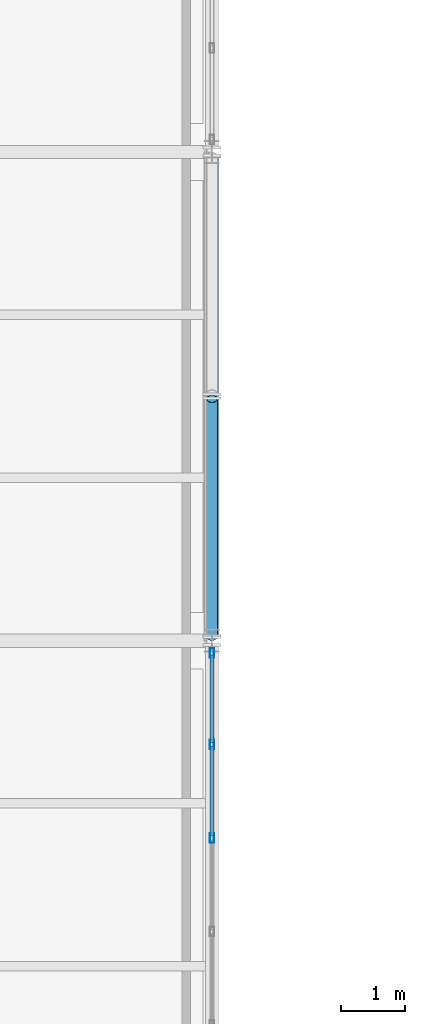
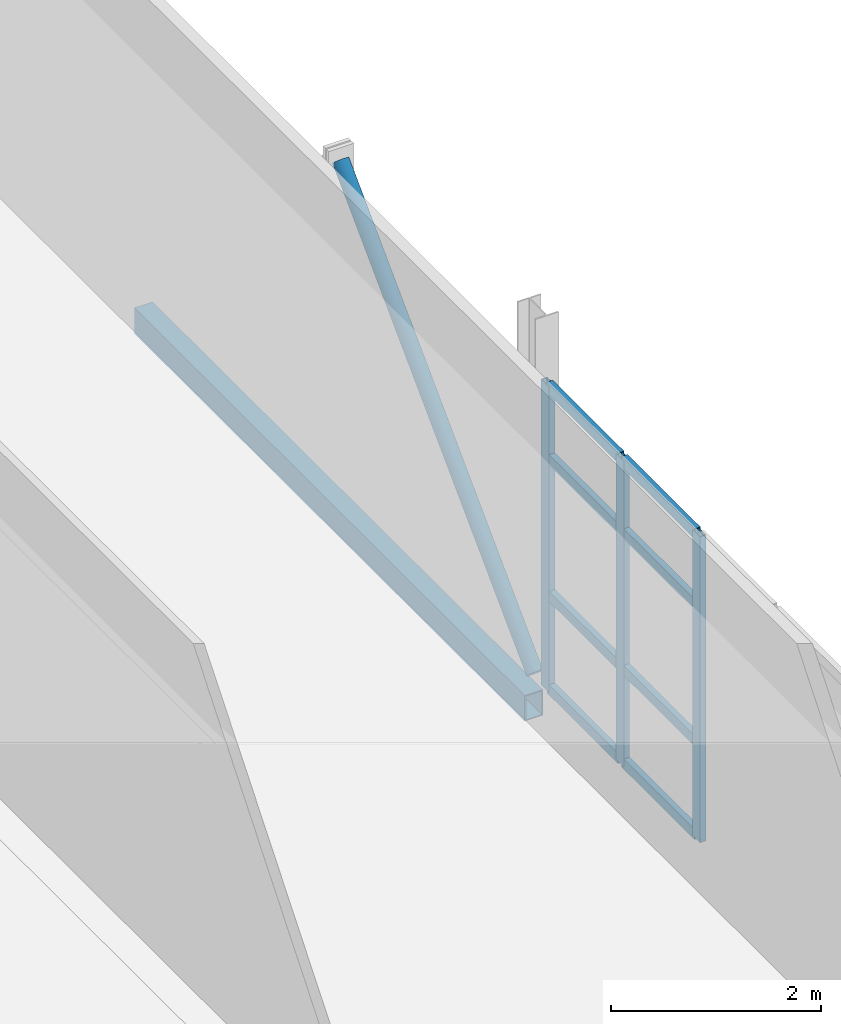
# One storey, part 120 of 174: 12 members, 1 beam, 1 element without a shape of its own.
"""IFC4 building model written with IfcOpenShell, lengths in metres."""

from ifc_helpers import new_model, si_unit, direction, frame, origin, origin_2d, place, context, subcontext, project, spatial, hollow_rectangle, hollow_circle, extrude, material, material_profile, profile_set, type_object, element, aggregate, save


model = new_model("IFC4")

# Units and contexts
model_context = context("Model", 3, precision=1e-05, world=origin(), true_north=direction((0.0, 1.0)))
body_context = subcontext(model_context, "Body", "Model", "MODEL_VIEW")
ifc_project = project(units=[si_unit("LENGTHUNIT", "METRE"), si_unit("AREAUNIT", "SQUARE_METRE"), si_unit("VOLUMEUNIT", "CUBIC_METRE"), si_unit("PLANEANGLEUNIT", "RADIAN"), si_unit("MASSUNIT", "GRAM", prefix="KILO")], contexts=[model_context])

# Site, building, storey
site_placement = place(None, origin())
site = spatial("IfcSite", under=ifc_project, at=site_placement, CompositionType="ELEMENT")
building_placement = place(site_placement, origin())
building = spatial("IfcBuilding", under=site, at=building_placement, Name="Caisbarro Railhouse Central Library", CompositionType="ELEMENT")
storey_placement = place(building_placement, frame((0.0, 0.0, 5.0400390625)))
storey = spatial("IfcBuildingStorey", under=building, at=storey_placement, Name="L01", CompositionType="ELEMENT", Elevation=5.0400390625)

# Beam
ifc_material_1 = material(Name="Steel ASTM A572 Grade 50", Category="steel")
ifc_material_profile_1 = material_profile(ifc_material_1, hollow_rectangle(XDim=0.199951171875, YDim=0.300048828125, WallThickness=0.012451171875, at=origin_2d()), Name="HSS300X200X12.5")
ifc_profile_set_1 = profile_set([ifc_material_profile_1], Name="Steel ASTM A572 Grade 50")
beam_type = type_object("IfcBeamType", Name="BM-SP02", PredefinedType="SPANDREL", material=ifc_profile_set_1)
beam_placement = place(storey_placement, frame((153.0, 76.080078125, -0.3701171875), z_axis=(0.0, 1.0, 0.0), x_axis=(-1.0, 0.0, 0.0)))
element("IfcBeam", 1, at=beam_placement, inside=storey, type_object=beam_type, Name="SP02 beam L01 #959", PredefinedType="SPANDREL", context=body_context, shape_type="SweptSolid", body=[
    extrude(hollow_rectangle(XDim=0.199951171875, YDim=0.300048828125, WallThickness=0.012451171875, at=origin_2d()), origin(), (0.0, 0.0, 1.0), 7.43994140625),
])

# Curtain wall, members
ifc_material_2 = material(Name="Anodised architectural aluminium", Category="aluminium")
curtain_wall_type = type_object("IfcCurtainWallType", Name="CW-CW03", PredefinedType="NOTDEFINED", material=ifc_material_2)
curtain_wall_placement = place(storey_placement, origin())
curtain_wall = element("IfcCurtainWall", 2, at=curtain_wall_placement, inside=storey, type_object=curtain_wall_type, Name="CW03 curtain wall L01 #122", PredefinedType="NOTDEFINED")
ifc_material_profile_2 = material_profile(ifc_material_2, hollow_rectangle(XDim=0.06494140625, YDim=0.14990234375, WallThickness=0.00390625, at=origin_2d()), Name="ALU-MUL-65X150")
ifc_profile_set_2 = profile_set([ifc_material_profile_2], Name="Anodised architectural aluminium")
member_type_1 = type_object("IfcMemberType", Name="CWM-M02", PredefinedType="MULLION", material=ifc_profile_set_2)
member_1_placement = place(storey_placement, frame((153.0, 72.927978515625, 0.0), z_axis=(0.0, 0.0, 1.0), x_axis=(-1.0, 0.0, 0.0)))
member_1 = element("IfcMember", 3, at=member_1_placement, type_object=member_type_1, Name="CW03 mullion 4", PredefinedType="MULLION", context=body_context, shape_type="SweptSolid", body=[
    extrude(hollow_rectangle(XDim=0.06494140625, YDim=0.14990234375, WallThickness=0.00390625, at=origin_2d()), origin(), (0.0, 0.0, 1.0), 3.56005859375),
])
member_2_placement = place(storey_placement, frame((153.0, 74.384033203125, 0.0), z_axis=(0.0, 0.0, 1.0), x_axis=(-1.0, 0.0, 0.0)))
member_2 = element("IfcMember", 4, at=member_2_placement, type_object=member_type_1, Name="CW03 mullion 5", PredefinedType="MULLION", context=body_context, shape_type="SweptSolid", body=[
    extrude(hollow_rectangle(XDim=0.06494140625, YDim=0.14990234375, WallThickness=0.00390625, at=origin_2d()), origin(), (0.0, 0.0, 1.0), 3.56005859375),
])
member_3_placement = place(storey_placement, frame((153.0, 75.8076171875, 0.0), z_axis=(0.0, 0.0, 1.0), x_axis=(-1.0, 0.0, 0.0)))
member_3 = element("IfcMember", 5, at=member_3_placement, type_object=member_type_1, Name="CW03 mullion 6", PredefinedType="MULLION", context=body_context, shape_type="SweptSolid", body=[
    extrude(hollow_rectangle(XDim=0.06494140625, YDim=0.14990234375, WallThickness=0.00390625, at=origin_2d()), origin(), (0.0, 0.0, 1.0), 3.56005859375),
])
ifc_material_profile_3 = material_profile(ifc_material_2, hollow_rectangle(XDim=0.06494140625, YDim=0.1201171875, WallThickness=0.00341796875, at=origin_2d()), Name="ALU-TRN-65X120")
ifc_profile_set_3 = profile_set([ifc_material_profile_3], Name="Anodised architectural aluminium")
member_type_2 = type_object("IfcMemberType", Name="CWT-T02", PredefinedType="USERDEFINED", material=ifc_profile_set_3)
member_4_placement = place(storey_placement, frame((153.0, 72.96044921875, 0.032470703125), z_axis=(0.0, 1.0, 0.0), x_axis=(-1.0, 0.0, 0.0)))
member_4 = element("IfcMember", 6, at=member_4_placement, type_object=member_type_2, Name="CW03 transom 4.1", ObjectType="TRANSOM", PredefinedType="USERDEFINED", context=body_context, shape_type="SweptSolid", body=[
    extrude(hollow_rectangle(XDim=0.06494140625, YDim=0.1201171875, WallThickness=0.00341796875, at=origin_2d()), origin(), (0.0, 0.0, 1.0), 1.39111328125),
])
member_5_placement = place(storey_placement, frame((153.0, 72.96044921875, 1.119873046875), z_axis=(0.0, 1.0, 0.0), x_axis=(-1.0, 0.0, 0.0)))
member_5 = element("IfcMember", 7, at=member_5_placement, type_object=member_type_2, Name="CW03 transom 4.2", ObjectType="TRANSOM", PredefinedType="USERDEFINED", context=body_context, shape_type="SweptSolid", body=[
    extrude(hollow_rectangle(XDim=0.06494140625, YDim=0.1201171875, WallThickness=0.00341796875, at=origin_2d()), origin(), (0.0, 0.0, 1.0), 1.39111328125),
])
member_6_placement = place(storey_placement, frame((153.0, 72.96044921875, 2.7099609375), z_axis=(0.0, 1.0, 0.0), x_axis=(-1.0, 0.0, 0.0)))
member_6 = element("IfcMember", 8, at=member_6_placement, type_object=member_type_2, Name="CW03 transom 4.3", ObjectType="TRANSOM", PredefinedType="USERDEFINED", context=body_context, shape_type="SweptSolid", body=[
    extrude(hollow_rectangle(XDim=0.06494140625, YDim=0.1201171875, WallThickness=0.00341796875, at=origin_2d()), origin(), (0.0, 0.0, 1.0), 1.39111328125),
])
member_7_placement = place(storey_placement, frame((153.0, 72.96044921875, 3.52734375), z_axis=(0.0, 1.0, 0.0), x_axis=(-1.0, 0.0, 0.0)))
member_7 = element("IfcMember", 9, at=member_7_placement, type_object=member_type_2, Name="CW03 transom 4.4", ObjectType="TRANSOM", PredefinedType="USERDEFINED", context=body_context, shape_type="SweptSolid", body=[
    extrude(hollow_rectangle(XDim=0.06494140625, YDim=0.1201171875, WallThickness=0.00341796875, at=origin_2d()), origin(), (0.0, 0.0, 1.0), 1.39111328125),
])
member_8_placement = place(storey_placement, frame((153.0, 74.41650390625, 0.032470703125), z_axis=(0.0, 1.0, 0.0), x_axis=(-1.0, 0.0, 0.0)))
member_8 = element("IfcMember", 10, at=member_8_placement, type_object=member_type_2, Name="CW03 transom 5.1", ObjectType="TRANSOM", PredefinedType="USERDEFINED", context=body_context, shape_type="SweptSolid", body=[
    extrude(hollow_rectangle(XDim=0.06494140625, YDim=0.1201171875, WallThickness=0.00341796875, at=origin_2d()), origin(), (0.0, 0.0, 1.0), 1.3583984375),
])
member_9_placement = place(storey_placement, frame((153.0, 74.41650390625, 1.119873046875), z_axis=(0.0, 1.0, 0.0), x_axis=(-1.0, 0.0, 0.0)))
member_9 = element("IfcMember", 11, at=member_9_placement, type_object=member_type_2, Name="CW03 transom 5.2", ObjectType="TRANSOM", PredefinedType="USERDEFINED", context=body_context, shape_type="SweptSolid", body=[
    extrude(hollow_rectangle(XDim=0.06494140625, YDim=0.1201171875, WallThickness=0.00341796875, at=origin_2d()), origin(), (0.0, 0.0, 1.0), 1.3583984375),
])
member_10_placement = place(storey_placement, frame((153.0, 74.41650390625, 2.7099609375), z_axis=(0.0, 1.0, 0.0), x_axis=(-1.0, 0.0, 0.0)))
member_10 = element("IfcMember", 12, at=member_10_placement, type_object=member_type_2, Name="CW03 transom 5.3", ObjectType="TRANSOM", PredefinedType="USERDEFINED", context=body_context, shape_type="SweptSolid", body=[
    extrude(hollow_rectangle(XDim=0.06494140625, YDim=0.1201171875, WallThickness=0.00341796875, at=origin_2d()), origin(), (0.0, 0.0, 1.0), 1.3583984375),
])
member_11_placement = place(storey_placement, frame((153.0, 74.41650390625, 3.52734375), z_axis=(0.0, 1.0, 0.0), x_axis=(-1.0, 0.0, 0.0)))
member_11 = element("IfcMember", 13, at=member_11_placement, type_object=member_type_2, Name="CW03 transom 5.4", ObjectType="TRANSOM", PredefinedType="USERDEFINED", context=body_context, shape_type="SweptSolid", body=[
    extrude(hollow_rectangle(XDim=0.06494140625, YDim=0.1201171875, WallThickness=0.00341796875, at=origin_2d()), origin(), (0.0, 0.0, 1.0), 1.3583984375),
])
aggregate(curtain_wall, [member_1, member_2, member_3, member_4, member_5, member_6, member_7, member_8, member_9, member_10, member_11])

# Member
ifc_material_profile_4 = material_profile(ifc_material_1, hollow_circle(Radius=0.084228515625, WallThickness=0.008056640625, at=origin_2d()), Name="CHS168.3X8")
ifc_profile_set_4 = profile_set([ifc_material_profile_4], Name="Steel ASTM A572 Grade 50")
member_type_3 = type_object("IfcMemberType", Name="MEM-BR04", PredefinedType="BRACE", material=ifc_profile_set_4)
member_12_placement = place(storey_placement, frame((153.0, 76.06005859375, 0.02001953125), z_axis=(0.0, 0.705196384846, 0.709012030082), x_axis=(-1.0, 0.0, 0.0)))
element("IfcMember", 14, at=member_12_placement, inside=storey, type_object=member_type_3, Name="BR04 chevron brace X153 L01.1", PredefinedType="BRACE", context=body_context, shape_type="SweptSolid", body=[
    extrude(hollow_circle(Radius=0.084228515625, WallThickness=0.008056640625, at=origin_2d()), origin(), (0.0, 0.0, 1.0), 5.24658203125),
])

save(model, "model.ifc")
